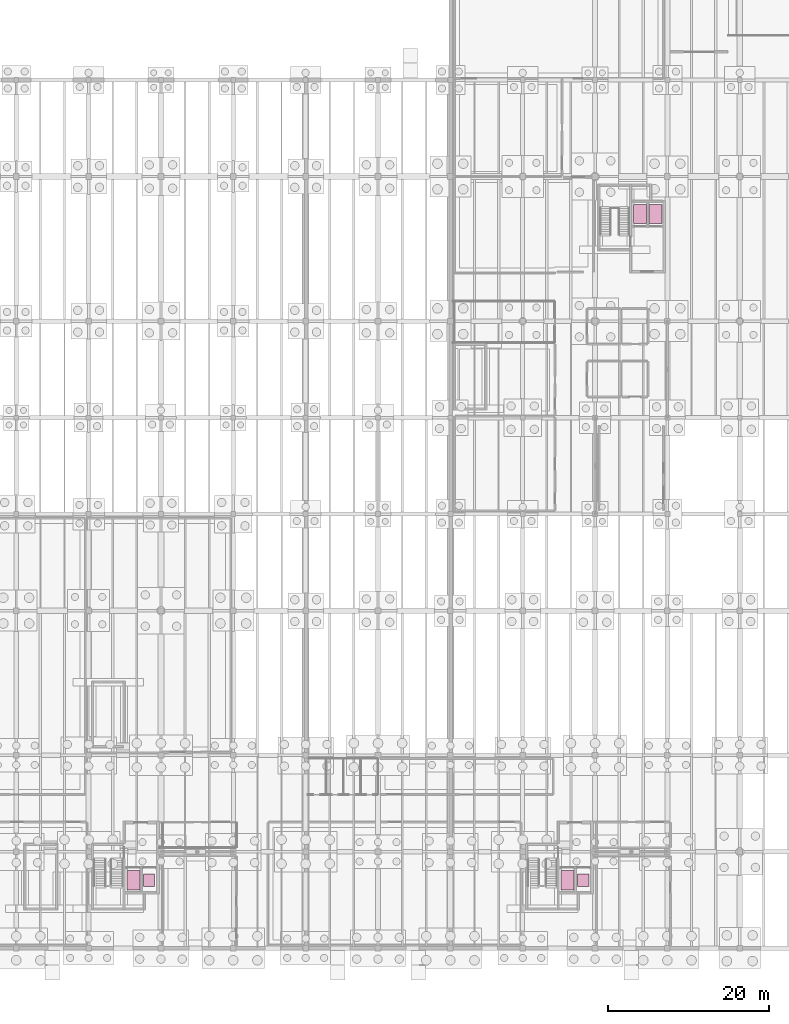
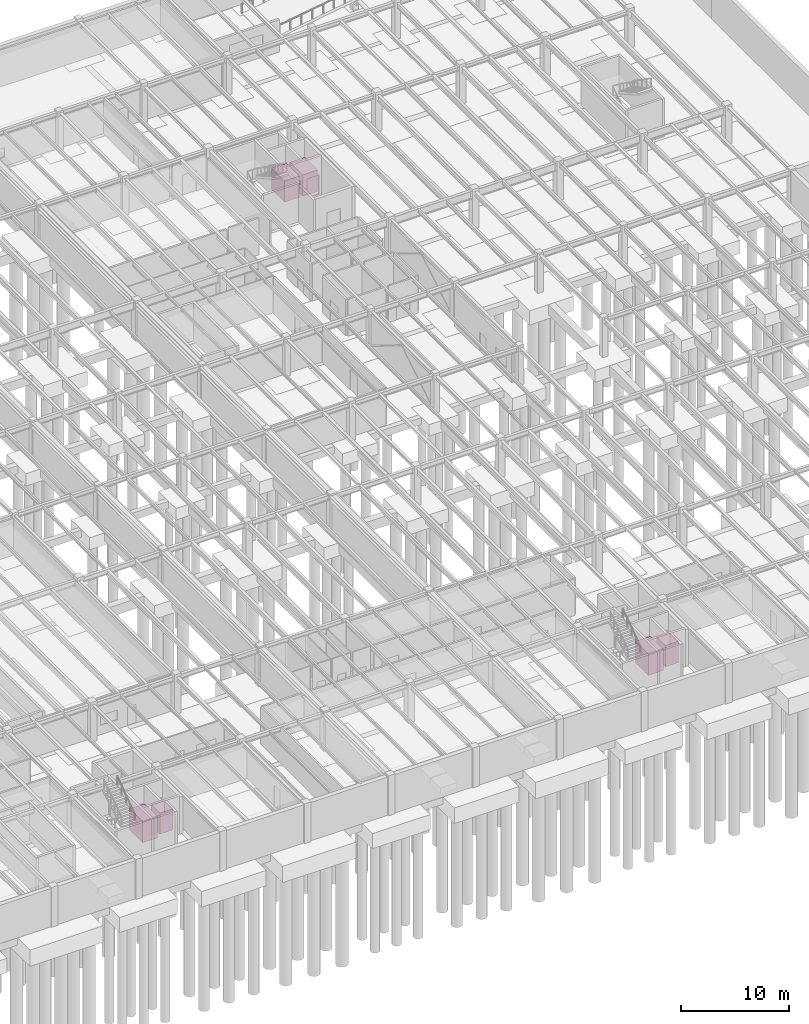
# One storey, part 40 of 40: 6 transport elements.
"""IFC4 building model written with IfcOpenShell, lengths in metres."""

from ifc_helpers import new_model, si_unit, direction, frame, origin, origin_2d, place, context, subcontext, project, spatial, rectangle, extrude, material, type_object, element, save


model = new_model("IFC4")

# Units and contexts
model_context = context("Model", 3, precision=1e-05, world=origin(), true_north=direction((0.0, 1.0)))
body_context = subcontext(model_context, "Body", "Model", "MODEL_VIEW")
ifc_project = project(units=[si_unit("LENGTHUNIT", "METRE"), si_unit("AREAUNIT", "SQUARE_METRE"), si_unit("VOLUMEUNIT", "CUBIC_METRE"), si_unit("PLANEANGLEUNIT", "RADIAN"), si_unit("MASSUNIT", "GRAM", prefix="KILO")], contexts=[model_context])

# Site, building, storey
site_placement = place(None, origin())
site = spatial("IfcSite", under=ifc_project, at=site_placement, CompositionType="ELEMENT")
building_placement = place(site_placement, origin())
building = spatial("IfcBuilding", under=site, at=building_placement, Name="Montelvaro Courts of Justice", CompositionType="ELEMENT")
storey_placement = place(building_placement, frame((0.0, 0.0, -4.5)))
storey = spatial("IfcBuildingStorey", under=building, at=storey_placement, Name="B01", CompositionType="ELEMENT", Elevation=-4.5)

# Transport elements
ifc_material = material(Name="Austenitic stainless steel EN 1.4401", Category="steel")
transport_element_type_1 = type_object("IfcTransportElementType", Name="Lift_Custody_160x240", PredefinedType="ELEVATOR", material=ifc_material)
for number, where, z_axis, x_axis, name in (
    (1, (122.574951171875, 91.35009765625, 0.0), (0.0, 0.0, 1.0), (1.0, 0.0, 0.0), "Secure Custody Escort Lift LC-01"),
    (2, (124.52490234375, 91.35009765625, 0.0), (0.0, 0.0, 1.0), (1.0, 0.0, 0.0), "Archive Goods Lift LG-01"),
):
    element("IfcTransportElement", number, at=place(storey_placement, frame(where, z_axis=z_axis, x_axis=x_axis)), inside=storey, type_object=transport_element_type_1, Name=name, PredefinedType="ELEVATOR", context=body_context, shape_type="SweptSolid", body=[
        extrude(rectangle(XDim=1.60009765625, YDim=2.39990234375, at=origin_2d()), origin(), (0.0, 0.0, 1.0), 2.39990234375),
    ])
transport_element_type_2 = type_object("IfcTransportElementType", Name="Lift_Fire_160x240", PredefinedType="ELEVATOR", material=ifc_material)
transport_element_1_placement = place(storey_placement, frame((59.574951171875, 8.449951171875, 0.0), z_axis=(0.0, 0.0, 1.0), x_axis=(1.0, 0.0, 0.0)))
element("IfcTransportElement", 3, at=transport_element_1_placement, inside=storey, type_object=transport_element_type_2, Name="Emergency Firefighting Lift LF-01", PredefinedType="ELEVATOR", context=body_context, shape_type="SweptSolid", body=[
    extrude(rectangle(XDim=1.60009765625, YDim=2.39990234375, at=origin_2d()), origin(), (0.0, 0.0, 1.0), 2.39990234375),
])
transport_element_2_placement = place(storey_placement, frame((61.52490234375, 8.449951171875, 0.0), z_axis=(0.0, 0.0, 1.0), x_axis=(1.0, 0.0, 0.0)))
element("IfcTransportElement", 4, at=transport_element_2_placement, inside=storey, type_object=transport_element_type_2, Name="Judicial Emergency Evacuation Lift LJ-01", PredefinedType="ELEVATOR", context=body_context, shape_type="SweptSolid", body=[
    extrude(rectangle(XDim=1.39990234375, YDim=1.60009765625, at=origin_2d()), origin(), (0.0, 0.0, 1.0), 2.39990234375),
])
transport_element_3_placement = place(storey_placement, frame((113.574951171875, 8.449951171875, 0.0), z_axis=(0.0, 0.0, 1.0), x_axis=(1.0, 0.0, 0.0)))
element("IfcTransportElement", 5, at=transport_element_3_placement, inside=storey, type_object=transport_element_type_2, Name="Emergency Firefighting Lift LF-02", PredefinedType="ELEVATOR", context=body_context, shape_type="SweptSolid", body=[
    extrude(rectangle(XDim=1.60009765625, YDim=2.39990234375, at=origin_2d()), origin(), (0.0, 0.0, 1.0), 2.39990234375),
])
transport_element_4_placement = place(storey_placement, frame((115.52490234375, 8.449951171875, 0.0), z_axis=(0.0, 0.0, 1.0), x_axis=(1.0, 0.0, 0.0)))
element("IfcTransportElement", 6, at=transport_element_4_placement, inside=storey, type_object=transport_element_type_2, Name="Judicial Emergency Evacuation Lift LJ-02", PredefinedType="ELEVATOR", context=body_context, shape_type="SweptSolid", body=[
    extrude(rectangle(XDim=1.39990234375, YDim=1.60009765625, at=origin_2d()), origin(), (0.0, 0.0, 1.0), 2.39990234375),
])

save(model, "model.ifc")
